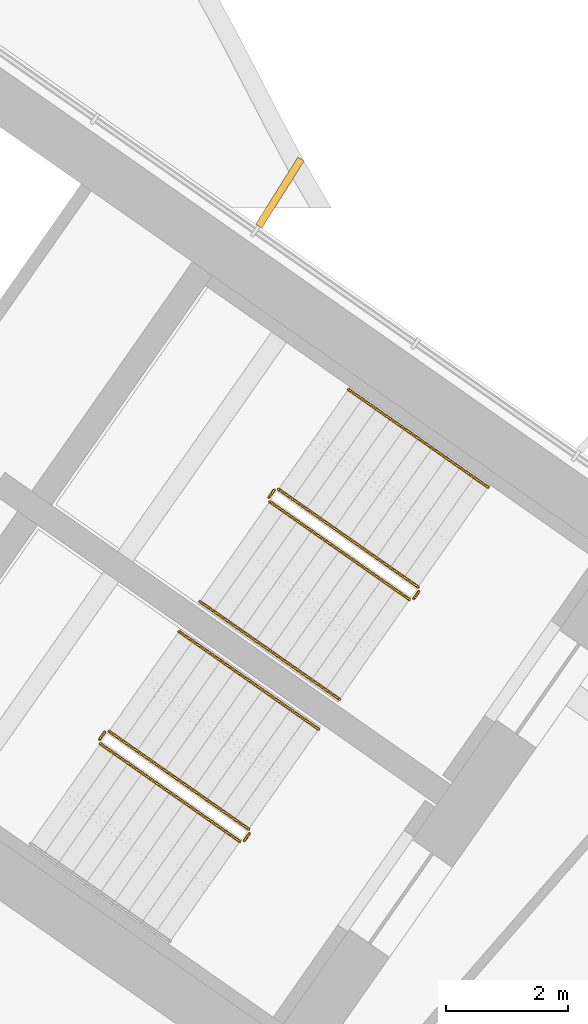
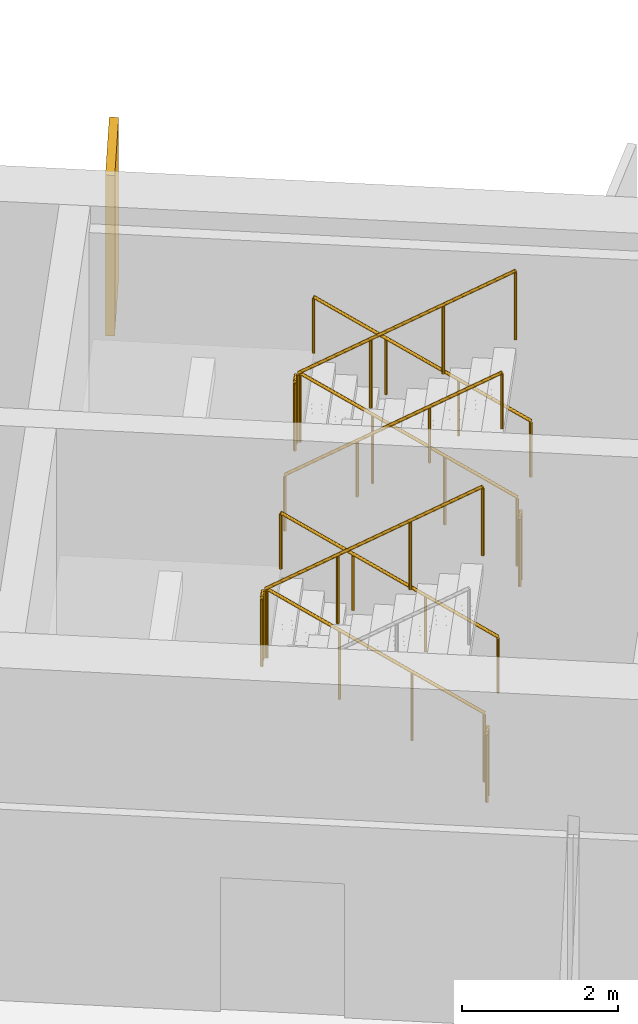
# One storey, part 22 of 23: 11 railings, 1 shading device.
"""IFC4 building model written with IfcOpenShell, lengths in metres."""

import ifcopenshell
import ifcopenshell.guid

model = None  # the IFC model being written
_history = None  # IfcOwnerHistory: only IFC2X3 demands one
_inside = {}  # id of a spatial element -> (the spatial element, [elements in it])
_under = {}  # id of a project, library or spatial element -> (it, [spatial elements below it])
_declared = {}  # id of a project -> (the project, [libraries it declares])
_typed = {}  # id of a type object -> (the type object, [elements of that type])
_made_of = {}  # id of a material, layer set ... -> (it, [elements and type objects made of it])


def new_model(schema):
    """Start an empty IFC model of exactly this schema.

    Asked for "IFC4X3", IfcOpenShell would pick the latest addendum, in which some entities
    have other attributes; the version numbers below select the first issue.
    IFC2X3 requires an IfcOwnerHistory on every rooted entity: one is made here for all.
    """
    global model, _history
    if schema == "IFC4X3":
        model = ifcopenshell.file(schema_version=(4, 3, 0, 0))
    else:
        model = ifcopenshell.file(schema=schema)
    _inside.clear()
    _under.clear()
    _declared.clear()
    _typed.clear()
    _made_of.clear()
    _history = None
    if model.schema == "IFC2X3":
        org = make("IfcOrganization", Name="unknown")
        user = make(
            "IfcPersonAndOrganization",
            ThePerson=make("IfcPerson", FamilyName="unknown"),
            TheOrganization=org,
        )
        app = make(
            "IfcApplication",
            ApplicationDeveloper=org,
            Version="unknown",
            ApplicationFullName="unknown",
            ApplicationIdentifier="unknown",
        )
        _history = make(
            "IfcOwnerHistory",
            OwningUser=user,
            OwningApplication=app,
            ChangeAction="ADDED",
            CreationDate=0,
        )
    return model


def make(cls, **values):
    """One entity of the class cls with the attributes given. An attribute that is None is left unset."""
    return model.create_entity(
        cls, **{name: value for name, value in values.items() if value is not None}
    )


def rooted(cls, **values):
    """An entity with a GlobalId (a new one), such as an element, a storey or a relation."""
    return make(cls, GlobalId=ifcopenshell.guid.new(), OwnerHistory=_history, **values)


def si_unit(unit_type, name, prefix=None):
    """IfcSIUnit, for example si_unit("LENGTHUNIT", "METRE", prefix="MILLI")."""
    return make("IfcSIUnit", UnitType=unit_type, Prefix=prefix, Name=name)


def assignment(units):
    """IfcUnitAssignment: the units of a project."""
    return None if units is None else make("IfcUnitAssignment", Units=units)


def point(xyz):
    """IfcCartesianPoint."""
    return None if xyz is None else make("IfcCartesianPoint", Coordinates=xyz)


def direction(xyz):
    """IfcDirection."""
    return None if xyz is None else make("IfcDirection", DirectionRatios=xyz)


def frame(location, z_axis=None, x_axis=None):
    """IfcAxis2Placement3D, a coordinate frame: its origin and axes. An axis left out is left unset."""
    return make(
        "IfcAxis2Placement3D",
        Location=point(location),
        Axis=direction(z_axis),
        RefDirection=direction(x_axis),
    )


def frame_2d(location, x_axis=None):
    """IfcAxis2Placement2D, a coordinate frame in the plane: its origin and x axis."""
    return make(
        "IfcAxis2Placement2D", Location=point(location), RefDirection=direction(x_axis)
    )


def origin():
    """The frame at (0, 0, 0) with its axes left unset."""
    return frame((0.0, 0.0, 0.0))


def origin_2d():
    """The frame at (0, 0) in the plane with its x axis left unset."""
    return frame_2d((0.0, 0.0))


def place(relative_to, where):
    """IfcLocalPlacement: puts the frame where relative to a parent placement (None: the world)."""
    return make(
        "IfcLocalPlacement", PlacementRelTo=relative_to, RelativePlacement=where
    )


def context(
    kind, dimensions, precision=None, world=None, true_north=None, identifier=None
):
    """IfcGeometricRepresentationContext, for example the 3D "Model" context."""
    return make(
        "IfcGeometricRepresentationContext",
        ContextIdentifier=identifier,
        ContextType=kind,
        CoordinateSpaceDimension=dimensions,
        Precision=precision,
        WorldCoordinateSystem=world,
        TrueNorth=true_north,
    )


def subcontext(parent, identifier, kind, view, scale=None):
    """IfcGeometricRepresentationSubContext, for example "Body" below "Model"."""
    return make(
        "IfcGeometricRepresentationSubContext",
        ContextIdentifier=identifier,
        ContextType=kind,
        ParentContext=parent,
        TargetScale=scale,
        TargetView=view,
    )


def project(units=None, contexts=None):
    """IfcProject with its units and contexts."""
    return rooted(
        "IfcProject",
        Name="project",
        RepresentationContexts=contexts,
        UnitsInContext=assignment(units),
    )


def spatial(cls, under=None, at=None, **own):
    """A site, building, storey or space (cls), placed at a placement, below another one or the project."""
    s = rooted(cls, ObjectPlacement=at, **own)
    if under is not None:
        _under.setdefault(under.id(), (under, []))[1].append(s)
    return s


def profile(cls, at=None, kind="AREA", **sizes):
    """A parametric profile (cls). Its sizes go by their IFC names, for example OverallWidth=200.0."""
    return make(cls, ProfileType=kind, Position=at, **sizes)


def rectangle(**sizes):
    """IfcRectangleProfileDef."""
    return profile("IfcRectangleProfileDef", **sizes)


def circle(**sizes):
    """IfcCircleProfileDef."""
    return profile("IfcCircleProfileDef", **sizes)


def extrude(swept, where, along, depth):
    """IfcExtrudedAreaSolid: the profile swept, set in the frame where, extruded along a direction by depth."""
    return make(
        "IfcExtrudedAreaSolid",
        SweptArea=swept,
        Position=where,
        ExtrudedDirection=direction(along),
        Depth=depth,
    )


def shape(context_of_items, identifier, shape_type, items):
    """IfcShapeRepresentation: the items that make up one representation, for example the "Body"."""
    return make(
        "IfcShapeRepresentation",
        ContextOfItems=context_of_items,
        RepresentationIdentifier=identifier,
        RepresentationType=shape_type,
        Items=items,
    )


def material(Name=None, Category=None):
    """IfcMaterial."""
    return make("IfcMaterial", Name=Name, Category=Category)


def layer(
    of_material, thickness, ventilated=None, Name=None, Category=None, Priority=None
):
    """IfcMaterialLayer: one layer of a wall or slab, of a material (None: an air gap)."""
    return make(
        "IfcMaterialLayer",
        Material=of_material,
        LayerThickness=thickness,
        IsVentilated=ventilated,
        Name=Name,
        Category=Category,
        Priority=Priority,
    )


def layer_set(layers, Name=None):
    """IfcMaterialLayerSet."""
    return make("IfcMaterialLayerSet", MaterialLayers=layers, LayerSetName=Name)


def made_of(thing, what):
    """Note that an element or type object is made of a material, layer set ...; save() writes the relation."""
    if what is not None:
        _made_of.setdefault(what.id(), (what, []))[1].append(thing)
    return thing


def type_object(cls, material=None, **own):
    """A type object (cls), such as IfcWallType, which elements share."""
    return made_of(rooted(cls, **own), material)


def element(
    cls,
    number,
    at=None,
    inside=None,
    cuts=None,
    type_object=None,
    material=None,
    context=None,
    identifier="Body",
    shape_type=None,
    held_by="IfcProductDefinitionShape",
    body=None,
    shapes=None,
    **own,
):
    """One element of the class cls, such as IfcWall. Its Tag is "e" and its number.

    at: its placement. inside: the storey or other place that contains it. cuts: it is an
    opening in that element (IfcRelVoidsElement). A single representation is given by context,
    identifier, shape_type and body (its items); several are given by shapes. held_by: the class
    of the entity that holds the representations. save() writes the other relations.
    """
    e = rooted(cls, Tag="e%d" % number, ObjectPlacement=at, **own)
    if body is not None:
        shapes = [shape(context, identifier, shape_type, body)]
    if shapes is not None:
        e.Representation = make(held_by, Representations=shapes)
    if inside is not None:
        _inside.setdefault(inside.id(), (inside, []))[1].append(e)
    if cuts is not None:
        rooted(
            "IfcRelVoidsElement", RelatingBuildingElement=cuts, RelatedOpeningElement=e
        )
    if type_object is not None:
        _typed.setdefault(type_object.id(), (type_object, []))[1].append(e)
    return made_of(e, material)


def aggregate(whole, parts):
    """IfcRelAggregates: a whole, such as a stair, and the parts it consists of."""
    return rooted("IfcRelAggregates", RelatingObject=whole, RelatedObjects=parts)


def save(model, path):
    """Write the relations noted so far, then the file.

    IfcRelAggregates (storeys below a building ...), IfcRelContainedInSpatialStructure (elements
    in a storey), IfcRelDefinesByType, IfcRelAssociatesMaterial and IfcRelDeclares: one each for
    every whole, place, type object, material and project.
    """
    for whole, parts in _under.values():
        aggregate(whole, parts)
    for where, things in _inside.values():
        rooted(
            "IfcRelContainedInSpatialStructure",
            RelatedElements=things,
            RelatingStructure=where,
        )
    for kind, things in _typed.values():
        rooted("IfcRelDefinesByType", RelatedObjects=things, RelatingType=kind)
    for what, things in _made_of.values():
        rooted("IfcRelAssociatesMaterial", RelatedObjects=things, RelatingMaterial=what)
    for by, libraries in _declared.values():
        rooted("IfcRelDeclares", RelatingContext=by, RelatedDefinitions=libraries)
    model.write(path)


model = new_model("IFC4")

# Units and contexts
model_context = context("Model", 3, precision=1e-05, world=origin(), true_north=direction((0.0, 1.0)))
body_context = subcontext(model_context, "Body", "Model", "MODEL_VIEW")
ifc_project = project(units=[si_unit("LENGTHUNIT", "METRE"), si_unit("AREAUNIT", "SQUARE_METRE"), si_unit("VOLUMEUNIT", "CUBIC_METRE"), si_unit("PLANEANGLEUNIT", "RADIAN"), si_unit("MASSUNIT", "GRAM", prefix="KILO")], contexts=[model_context])

# Site, building, storey
site_placement = place(None, origin())
site = spatial("IfcSite", under=ifc_project, at=site_placement, CompositionType="ELEMENT")
building_placement = place(site_placement, origin())
building = spatial("IfcBuilding", under=site, at=building_placement, Name="Tel Ilan Convention Tower", CompositionType="ELEMENT")
storey_placement = place(building_placement, frame((0.0, 0.0, 174.89990234375)))
storey = spatial("IfcBuildingStorey", under=building, at=storey_placement, Name="L40", CompositionType="ELEMENT", Elevation=174.89990234375)

# Shading device
ifc_material_1 = material(Name="Aluminium, bronze anodised", Category="aluminium")
ifc_layer = layer(ifc_material_1, 0.1201171875)
ifc_layer_set = layer_set([ifc_layer], Name="FIN BRONZE 1300x120")
shading_device_type = type_object("IfcShadingDeviceType", Name="FIN BRONZE 1300x120", PredefinedType="USERDEFINED", material=ifc_layer_set)
shading_device_placement = place(storey_placement, frame((21.408935546875, -1.376953125, 1.10009765625), z_axis=(0.0, 0.0, 1.0), x_axis=(0.533204432798, 0.845986425922, 0.0)))
element("IfcShadingDevice", 1, at=shading_device_placement, inside=storey, type_object=shading_device_type, Name="FIN", ObjectType="FIN", PredefinedType="USERDEFINED", context=body_context, shape_type="SweptSolid", body=[
    extrude(rectangle(XDim=1.300048828125, YDim=0.1201171875, at=origin_2d()), origin(), (0.0, 0.0, 1.0), 2.52001953125),
])

# Railings
ifc_material_2 = material(Name="Stainless Steel Grade 316", Category="steel")
railing_type_1 = type_object("IfcRailingType", Name="Stainless Steel Stair Guard 1100 mm", PredefinedType="GUARDRAIL", material=ifc_material_2)
railing_1_placement = place(storey_placement, frame((23.6787109375, -7.8515625, 0.177490234375)))
element("IfcRailing", 2, at=railing_1_placement, inside=storey, type_object=railing_type_1, Name="L40 S3 stair guard 1", PredefinedType="GUARDRAIL", context=body_context, shape_type="SweptSolid", body=[
    extrude(circle(Radius=0.02392578125, at=origin_2d()), frame((0.0, 0.0, 1.076171875), z_axis=(-0.692084706163, 0.484621375041, 0.534940073605), x_axis=(-0.573591086599, -0.819141785879, 0.0)), (0.0, 0.0, 1.0), 3.313720703125),
    extrude(circle(Radius=0.02099609375, at=origin_2d()), origin(), (0.0, 0.0, 1.0), 1.052001953125),
    extrude(circle(Radius=0.02099609375, at=origin_2d()), frame((-0.764404296875, 0.535400390625, 0.5908203125)), (0.0, 0.0, 1.0), 1.052001953125),
    extrude(circle(Radius=0.02099609375, at=origin_2d()), frame((-1.529052734375, 1.070556640625, 1.181884765625)), (0.0, 0.0, 1.0), 1.052001953125),
    extrude(circle(Radius=0.02099609375, at=origin_2d()), frame((-2.29345703125, 1.60595703125, 1.772705078125)), (0.0, 0.0, 1.0), 1.052001953125),
])
railing_2_placement = place(storey_placement, frame((21.3154296875, -6.2578125, 1.9501953125)))
element("IfcRailing", 3, at=railing_2_placement, inside=storey, type_object=railing_type_1, Name="L40 S3 stair guard 2", PredefinedType="GUARDRAIL", context=body_context, shape_type="SweptSolid", body=[
    extrude(circle(Radius=0.02392578125, at=origin_2d()), frame((0.0, 0.0, 1.076171875), z_axis=(-0.573353020881, -0.819308436089, 0.0), x_axis=(0.819308436089, -0.573353020881, 0.0)), (0.0, 0.0, 1.0), 0.14990234375),
    extrude(circle(Radius=0.02099609375, at=origin_2d()), origin(), (0.0, 0.0, 1.0), 1.052001953125),
    extrude(circle(Radius=0.02099609375, at=origin_2d()), frame((-0.0859375, -0.122802734375, 0.0)), (0.0, 0.0, 1.0), 1.052001953125),
])
railing_3_placement = place(storey_placement, frame((21.24169921875, -6.4501953125, 2.12744140625)))
element("IfcRailing", 4, at=railing_3_placement, inside=storey, type_object=railing_type_1, Name="L40 S3 stair guard 3", PredefinedType="GUARDRAIL", context=body_context, shape_type="SweptSolid", body=[
    extrude(circle(Radius=0.02392578125, at=origin_2d()), frame((0.0, 0.0, 1.076171875), z_axis=(0.692098378994, -0.484653031975, 0.534893701956), x_axis=(0.573608623498, 0.819129505664, 0.0)), (0.0, 0.0, 1.0), 3.314208984375),
    extrude(circle(Radius=0.02099609375, at=origin_2d()), origin(), (0.0, 0.0, 1.0), 1.052001953125),
    extrude(circle(Radius=0.02099609375, at=origin_2d()), frame((0.7646484375, -0.535400390625, 0.5908203125)), (0.0, 0.0, 1.0), 1.052001953125),
    extrude(circle(Radius=0.02099609375, at=origin_2d()), frame((1.529052734375, -1.07080078125, 1.181884765625)), (0.0, 0.0, 1.0), 1.052001953125),
    extrude(circle(Radius=0.02099609375, at=origin_2d()), frame((2.293701171875, -1.606201171875, 1.772705078125)), (0.0, 0.0, 1.0), 1.052001953125),
])
railing_4_placement = place(storey_placement, frame((23.691162109375, -7.921142578125, 0.0)))
element("IfcRailing", 5, at=railing_4_placement, inside=storey, type_object=railing_type_1, Name="L40 S3 stair guard 4", PredefinedType="GUARDRAIL", context=body_context, shape_type="SweptSolid", body=[
    extrude(circle(Radius=0.02392578125, at=origin_2d()), frame((0.0, 0.0, 1.076171875), z_axis=(-0.574444878118, -0.818543268254, 0.0), x_axis=(0.818543268254, -0.574444878118, 0.0)), (0.0, 0.0, 1.0), 0.150146484375),
    extrude(circle(Radius=0.02099609375, at=origin_2d()), origin(), (0.0, 0.0, 1.0), 1.052001953125),
    extrude(circle(Radius=0.02099609375, at=origin_2d()), frame((-0.086181640625, -0.122802734375, 0.0)), (0.0, 0.0, 1.0), 1.052001953125),
])
railing_5_placement = place(storey_placement, frame((20.89697265625, -11.824462890625, 0.177490234375)))
element("IfcRailing", 6, at=railing_5_placement, inside=storey, type_object=railing_type_1, Name="L40 S4 stair guard 1", PredefinedType="GUARDRAIL", context=body_context, shape_type="SweptSolid", body=[
    extrude(circle(Radius=0.02392578125, at=origin_2d()), frame((0.0, 0.0, 1.076171875), z_axis=(-0.692123088272, 0.484596665743, 0.534912798717), x_axis=(-0.573550118428, -0.819170471667, 0.0)), (0.0, 0.0, 1.0), 3.31396484375),
    extrude(circle(Radius=0.02099609375, at=origin_2d()), origin(), (0.0, 0.0, 1.0), 1.052001953125),
    extrude(circle(Radius=0.02099609375, at=origin_2d()), frame((-0.7646484375, 0.535400390625, 0.5908203125)), (0.0, 0.0, 1.0), 1.052001953125),
    extrude(circle(Radius=0.02099609375, at=origin_2d()), frame((-1.529052734375, 1.070556640625, 1.181884765625)), (0.0, 0.0, 1.0), 1.052001953125),
    extrude(circle(Radius=0.02099609375, at=origin_2d()), frame((-2.293701171875, 1.60595703125, 1.772705078125)), (0.0, 0.0, 1.0), 1.052001953125),
])
railing_6_placement = place(storey_placement, frame((18.53369140625, -10.230712890625, 1.9501953125)))
element("IfcRailing", 7, at=railing_6_placement, inside=storey, type_object=railing_type_1, Name="L40 S4 stair guard 2", PredefinedType="GUARDRAIL", context=body_context, shape_type="SweptSolid", body=[
    extrude(circle(Radius=0.02392578125, at=origin_2d()), frame((0.0, 0.0, 1.076171875), z_axis=(-0.573353020881, -0.819308436089, 0.0), x_axis=(0.819308436089, -0.573353020881, 0.0)), (0.0, 0.0, 1.0), 0.14990234375),
    extrude(circle(Radius=0.02099609375, at=origin_2d()), origin(), (0.0, 0.0, 1.0), 1.052001953125),
    extrude(circle(Radius=0.02099609375, at=origin_2d()), frame((-0.0859375, -0.122802734375, 0.0)), (0.0, 0.0, 1.0), 1.052001953125),
])
railing_7_placement = place(storey_placement, frame((18.4599609375, -10.423095703125, 2.12744140625)))
element("IfcRailing", 8, at=railing_7_placement, inside=storey, type_object=railing_type_1, Name="L40 S4 stair guard 3", PredefinedType="GUARDRAIL", context=body_context, shape_type="SweptSolid", body=[
    extrude(circle(Radius=0.02392578125, at=origin_2d()), frame((0.0, 0.0, 1.076171875), z_axis=(0.692098378994, -0.484653031975, 0.534893701956), x_axis=(0.573608623498, 0.819129505664, 0.0)), (0.0, 0.0, 1.0), 3.314208984375),
    extrude(circle(Radius=0.02099609375, at=origin_2d()), origin(), (0.0, 0.0, 1.0), 1.052001953125),
    extrude(circle(Radius=0.02099609375, at=origin_2d()), frame((0.7646484375, -0.535400390625, 0.5908203125)), (0.0, 0.0, 1.0), 1.052001953125),
    extrude(circle(Radius=0.02099609375, at=origin_2d()), frame((1.529052734375, -1.07080078125, 1.181884765625)), (0.0, 0.0, 1.0), 1.052001953125),
    extrude(circle(Radius=0.02099609375, at=origin_2d()), frame((2.293701171875, -1.606201171875, 1.772705078125)), (0.0, 0.0, 1.0), 1.052001953125),
])
railing_8_placement = place(storey_placement, frame((20.9091796875, -11.89404296875, 0.0)))
element("IfcRailing", 9, at=railing_8_placement, inside=storey, type_object=railing_type_1, Name="L40 S4 stair guard 4", PredefinedType="GUARDRAIL", context=body_context, shape_type="SweptSolid", body=[
    extrude(circle(Radius=0.02392578125, at=origin_2d()), frame((0.0, 0.0, 1.076171875), z_axis=(-0.573353020881, -0.819308436089, 0.0), x_axis=(0.819308436089, -0.573353020881, 0.0)), (0.0, 0.0, 1.0), 0.14990234375),
    extrude(circle(Radius=0.02099609375, at=origin_2d()), origin(), (0.0, 0.0, 1.0), 1.052001953125),
    extrude(circle(Radius=0.02099609375, at=origin_2d()), frame((-0.0859375, -0.122802734375, 0.0)), (0.0, 0.0, 1.0), 1.052001953125),
])
ifc_material_3 = material(Name="Stainless Steel Grade 316", Category="steel")
railing_type_2 = type_object("IfcRailingType", Name="Stainless Steel Stair Handrail 900 mm", PredefinedType="HANDRAIL", material=ifc_material_3)
railing_9_placement = place(storey_placement, frame((24.825927734375, -6.213134765625, 0.177490234375)))
element("IfcRailing", 10, at=railing_9_placement, inside=storey, type_object=railing_type_2, Name="L40 S3 stair handrail 1", PredefinedType="HANDRAIL", context=body_context, shape_type="SweptSolid", body=[
    extrude(circle(Radius=0.02392578125, at=origin_2d()), frame((0.0, 0.0, 0.8759765625), z_axis=(-0.692123088272, 0.484596665743, 0.534912798717), x_axis=(-0.573550118428, -0.819170471667, 0.0)), (0.0, 0.0, 1.0), 3.31396484375),
    extrude(circle(Radius=0.02099609375, at=origin_2d()), origin(), (0.0, 0.0, 1.0), 0.851806640625),
    extrude(circle(Radius=0.02099609375, at=origin_2d()), frame((-0.7646484375, 0.535400390625, 0.5908203125)), (0.0, 0.0, 1.0), 0.851806640625),
    extrude(circle(Radius=0.02099609375, at=origin_2d()), frame((-1.529052734375, 1.070556640625, 1.181884765625)), (0.0, 0.0, 1.0), 0.851806640625),
    extrude(circle(Radius=0.02099609375, at=origin_2d()), frame((-2.293701171875, 1.60595703125, 1.772705078125)), (0.0, 0.0, 1.0), 0.851806640625),
])
railing_10_placement = place(storey_placement, frame((20.0947265625, -8.088623046875, 2.12744140625)))
element("IfcRailing", 11, at=railing_10_placement, inside=storey, type_object=railing_type_2, Name="L40 S3 stair handrail 2", PredefinedType="HANDRAIL", context=body_context, shape_type="SweptSolid", body=[
    extrude(circle(Radius=0.02392578125, at=origin_2d()), frame((0.0, 0.0, 0.8759765625), z_axis=(0.692084706163, -0.484621375041, 0.534940073605), x_axis=(0.573591086599, 0.819141785879, 0.0)), (0.0, 0.0, 1.0), 3.313720703125),
    extrude(circle(Radius=0.02099609375, at=origin_2d()), origin(), (0.0, 0.0, 1.0), 0.851806640625),
    extrude(circle(Radius=0.02099609375, at=origin_2d()), frame((0.764404296875, -0.535400390625, 0.5908203125)), (0.0, 0.0, 1.0), 0.851806640625),
    extrude(circle(Radius=0.02099609375, at=origin_2d()), frame((1.529052734375, -1.070556640625, 1.181884765625)), (0.0, 0.0, 1.0), 0.851806640625),
    extrude(circle(Radius=0.02099609375, at=origin_2d()), frame((2.29345703125, -1.60595703125, 1.772705078125)), (0.0, 0.0, 1.0), 0.851806640625),
])
railing_11_placement = place(storey_placement, frame((22.044189453125, -10.18603515625, 0.177490234375)))
element("IfcRailing", 12, at=railing_11_placement, inside=storey, type_object=railing_type_2, Name="L40 S4 stair handrail 1", PredefinedType="HANDRAIL", context=body_context, shape_type="SweptSolid", body=[
    extrude(circle(Radius=0.02392578125, at=origin_2d()), frame((0.0, 0.0, 0.8759765625), z_axis=(-0.692123088272, 0.484596665743, 0.534912798717), x_axis=(-0.573550118428, -0.819170471667, 0.0)), (0.0, 0.0, 1.0), 3.31396484375),
    extrude(circle(Radius=0.02099609375, at=origin_2d()), origin(), (0.0, 0.0, 1.0), 0.851806640625),
    extrude(circle(Radius=0.02099609375, at=origin_2d()), frame((-0.7646484375, 0.535400390625, 0.5908203125)), (0.0, 0.0, 1.0), 0.851806640625),
    extrude(circle(Radius=0.02099609375, at=origin_2d()), frame((-1.529052734375, 1.070556640625, 1.181884765625)), (0.0, 0.0, 1.0), 0.851806640625),
    extrude(circle(Radius=0.02099609375, at=origin_2d()), frame((-2.293701171875, 1.60595703125, 1.772705078125)), (0.0, 0.0, 1.0), 0.851806640625),
])

save(model, "model.ifc")
